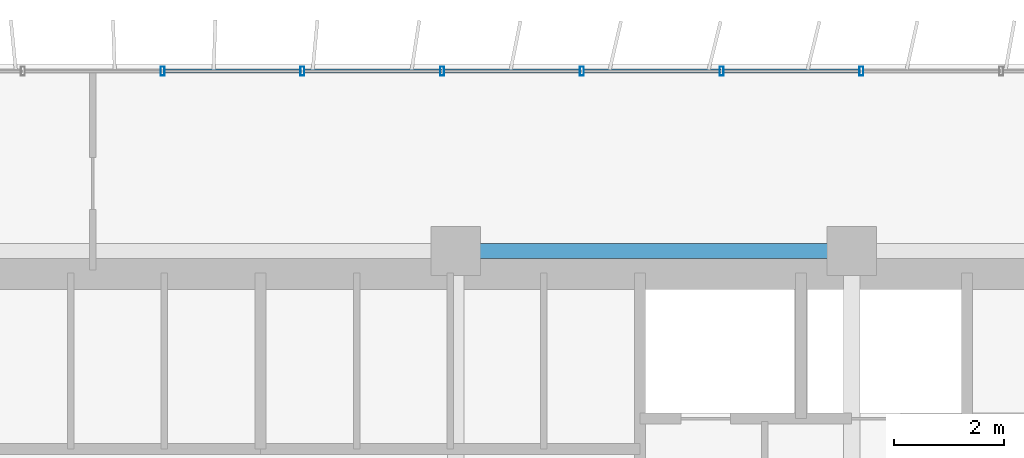
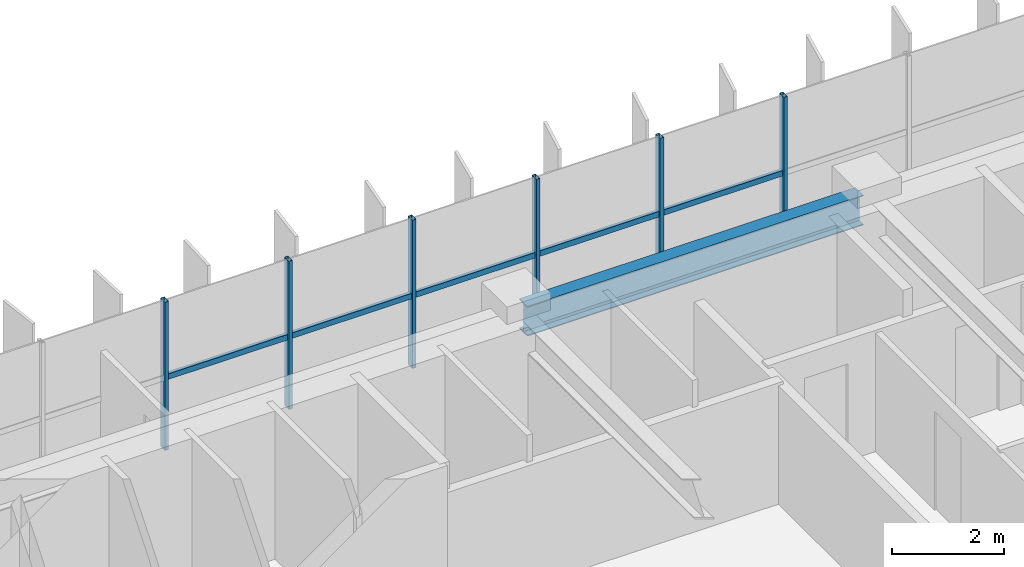
# One storey, part 13 of 25: 11 members, 1 beam, 1 element without a shape of its own.
"""IFC4 building model written with IfcOpenShell, lengths in metres."""

from ifc_helpers import new_model, si_unit, direction, frame, origin, origin_2d, place, context, subcontext, project, spatial, hollow_rectangle, i_section, extrude, source, transform, mapped, material, material_profile, profile_set, type_object, element, aggregate, save


model = new_model("IFC4")

# Units and contexts
model_context = context("Model", 3, precision=1e-05, world=origin(), true_north=direction((0.0, 1.0)))
body_context = subcontext(model_context, "Body", "Model", "MODEL_VIEW")
ifc_project = project(units=[si_unit("LENGTHUNIT", "METRE"), si_unit("AREAUNIT", "SQUARE_METRE"), si_unit("VOLUMEUNIT", "CUBIC_METRE"), si_unit("PLANEANGLEUNIT", "RADIAN"), si_unit("MASSUNIT", "GRAM", prefix="KILO")], contexts=[model_context])

# Site, building, storey
site_placement = place(None, origin())
site = spatial("IfcSite", under=ifc_project, at=site_placement, CompositionType="ELEMENT")
building_placement = place(site_placement, origin())
building = spatial("IfcBuilding", under=site, at=building_placement, Name="Trelvane Seafront Commons", CompositionType="ELEMENT")
storey_placement = place(building_placement, frame((0.0, 0.0, 70.300048828125)))
storey = spatial("IfcBuildingStorey", under=building, at=storey_placement, Name="L18", CompositionType="ELEMENT", Elevation=70.300048828125)

# Beam
ifc_material_1 = material(Name="Steel SM355 (S355)", Category="steel")
ifc_material_profile_1 = material_profile(ifc_material_1, i_section(OverallWidth=0.280029296875, OverallDepth=0.64990234375, WebThickness=0.012939453125, FlangeThickness=0.02197265625, at=origin_2d()), Name="H-650x280x13x22")
ifc_profile_set_1 = profile_set([ifc_material_profile_1], Name="Steel SM355 (S355)")
beam_type = type_object("IfcBeamType", Name="STR-BM-H650", PredefinedType="BEAM", material=ifc_profile_set_1)
shared_shape_1 = source(origin(), body_context, "Body", "SweptSolid", [
    extrude(i_section(OverallWidth=0.280029296875, OverallDepth=0.64990234375, WebThickness=0.012939453125, FlangeThickness=0.02197265625, at=origin_2d()), origin(), (0.0, 0.0, 1.0), 6.900146484375),
])
beam_placement = place(storey_placement, frame((43.949951171875, 45.10009765625, 2.89501953125), z_axis=(1.0, 0.0, 0.0), x_axis=(0.0, 1.0, 0.0)))
element("IfcBeam", 1, at=beam_placement, inside=storey, type_object=beam_type, Name="L18 Primary Girder G-33", PredefinedType="BEAM", context=body_context, shape_type="MappedRepresentation", body=[
    mapped(shared_shape_1, transform((0.0, 0.0, 0.0), x_axis=(1.0, 0.0, 0.0), y_axis=(0.0, 1.0, 0.0), z_axis=(0.0, 0.0, 1.0), scale=1.0)),
])

# Curtain wall, members
ifc_material_2 = material(Name="Anodised pale-silver aluminium", Category="aluminium")
curtain_wall_type = type_object("IfcCurtainWallType", Name="ARCH-CW2-LOWTOWER", PredefinedType="NOTDEFINED", material=ifc_material_2)
curtain_wall_placement = place(storey_placement, origin())
curtain_wall = element("IfcCurtainWall", 2, at=curtain_wall_placement, inside=storey, type_object=curtain_wall_type, Name="CW-L18-0043", PredefinedType="NOTDEFINED")
ifc_material_profile_2 = material_profile(ifc_material_2, hollow_rectangle(XDim=0.070068359375, YDim=0.1201171875, WallThickness=0.00390625, at=origin_2d()), Name="TRAN-70x120x4")
ifc_profile_set_2 = profile_set([ifc_material_profile_2], Name="Anodised pale-silver aluminium")
member_type_1 = type_object("IfcMemberType", Name="ARCH-CW-TRAN-120", PredefinedType="USERDEFINED", material=ifc_profile_set_2)
shared_shape_2 = source(origin(), body_context, "Body", "SweptSolid", [
    extrude(hollow_rectangle(XDim=0.070068359375, YDim=0.1201171875, WallThickness=0.00390625, at=origin_2d()), origin(), (0.0, 0.0, 1.0), 2.51708984375),
])
member_1_placement = place(storey_placement, frame((38.482666015625, 48.3701171875, 1.5458984375), z_axis=(1.0, 0.0, 0.0), x_axis=(0.0, 1.0, 0.0)))
member_1 = element("IfcMember", 3, at=member_1_placement, type_object=member_type_1, Name="CW-L18-0043-T09", ObjectType="TRANSOM", PredefinedType="USERDEFINED", context=body_context, shape_type="MappedRepresentation", body=[
    mapped(shared_shape_2, transform((0.0, 0.0, 0.0), x_axis=(1.0, 0.0, 0.0), y_axis=(0.0, 1.0, 0.0), z_axis=(0.0, 0.0, 1.0), scale=1.0)),
])
member_2_placement = place(storey_placement, frame((43.56494140625, 48.3701171875, 1.5458984375), z_axis=(1.0, 0.0, 0.0), x_axis=(0.0, 1.0, 0.0)))
member_2 = element("IfcMember", 4, at=member_2_placement, type_object=member_type_1, Name="CW-L18-0043-T11", ObjectType="TRANSOM", PredefinedType="USERDEFINED", context=body_context, shape_type="MappedRepresentation", body=[
    mapped(shared_shape_2, transform((0.0, 0.0, 0.0), x_axis=(1.0, 0.0, 0.0), y_axis=(0.0, 1.0, 0.0), z_axis=(0.0, 0.0, 1.0), scale=1.0)),
])
member_3_placement = place(storey_placement, frame((46.106201171875, 48.3701171875, 1.5458984375), z_axis=(1.0, 0.0, 0.0), x_axis=(0.0, 1.0, 0.0)))
member_3 = element("IfcMember", 5, at=member_3_placement, type_object=member_type_1, Name="CW-L18-0043-T12", ObjectType="TRANSOM", PredefinedType="USERDEFINED", context=body_context, shape_type="MappedRepresentation", body=[
    mapped(shared_shape_2, transform((0.0, 0.0, 0.0), x_axis=(1.0, 0.0, 0.0), y_axis=(0.0, 1.0, 0.0), z_axis=(0.0, 0.0, 1.0), scale=1.0)),
])
shared_shape_3 = source(origin(), body_context, "Body", "SweptSolid", [
    extrude(hollow_rectangle(XDim=0.070068359375, YDim=0.1201171875, WallThickness=0.00390625, at=origin_2d()), origin(), (0.0, 0.0, 1.0), 2.517333984375),
])
member_4_placement = place(storey_placement, frame((41.023681640625, 48.3701171875, 1.5458984375), z_axis=(1.0, 0.0, 0.0), x_axis=(0.0, 1.0, 0.0)))
member_4 = element("IfcMember", 6, at=member_4_placement, type_object=member_type_1, Name="CW-L18-0043-T10", ObjectType="TRANSOM", PredefinedType="USERDEFINED", context=body_context, shape_type="MappedRepresentation", body=[
    mapped(shared_shape_3, transform((0.0, 0.0, 0.0), x_axis=(1.0, 0.0, 0.0), y_axis=(0.0, 1.0, 0.0), z_axis=(0.0, 0.0, 1.0), scale=1.0)),
])
member_5_placement = place(storey_placement, frame((48.647216796875, 48.3701171875, 1.5458984375), z_axis=(1.0, 0.0, 0.0), x_axis=(0.0, 1.0, 0.0)))
member_5 = element("IfcMember", 7, at=member_5_placement, type_object=member_type_1, Name="CW-L18-0043-T13", ObjectType="TRANSOM", PredefinedType="USERDEFINED", context=body_context, shape_type="MappedRepresentation", body=[
    mapped(shared_shape_3, transform((0.0, 0.0, 0.0), x_axis=(1.0, 0.0, 0.0), y_axis=(0.0, 1.0, 0.0), z_axis=(0.0, 0.0, 1.0), scale=1.0)),
])
ifc_material_profile_3 = material_profile(ifc_material_2, hollow_rectangle(XDim=0.074951171875, YDim=0.159912109375, WallThickness=0.00390625, at=origin_2d()), Name="MULL-75x160x4")
ifc_profile_set_3 = profile_set([ifc_material_profile_3], Name="Anodised pale-silver aluminium")
member_type_2 = type_object("IfcMemberType", Name="ARCH-CW-MULL-160", PredefinedType="MULLION", material=ifc_profile_set_3)
shared_shape_4 = source(origin(), body_context, "Body", "SweptSolid", [
    extrude(hollow_rectangle(XDim=0.074951171875, YDim=0.159912109375, WallThickness=0.00390625, at=origin_2d()), origin(), (0.0, 0.0, 1.0), 3.219970703125),
])
member_6_placement = place(storey_placement, frame((38.470703125, 48.3701171875, 0.0), z_axis=(0.0, 0.0, 1.0), x_axis=(1.0, 0.0, 0.0)))
member_6 = element("IfcMember", 8, at=member_6_placement, type_object=member_type_2, Name="CW-L18-0043-M09", PredefinedType="MULLION", context=body_context, shape_type="MappedRepresentation", body=[
    mapped(shared_shape_4, transform((0.0, 0.0, 0.0), x_axis=(1.0, 0.0, 0.0), y_axis=(0.0, 1.0, 0.0), z_axis=(0.0, 0.0, 1.0), scale=1.0)),
])
member_7_placement = place(storey_placement, frame((41.01171875, 48.3701171875, 0.0), z_axis=(0.0, 0.0, 1.0), x_axis=(1.0, 0.0, 0.0)))
member_7 = element("IfcMember", 9, at=member_7_placement, type_object=member_type_2, Name="CW-L18-0043-M10", PredefinedType="MULLION", context=body_context, shape_type="MappedRepresentation", body=[
    mapped(shared_shape_4, transform((0.0, 0.0, 0.0), x_axis=(1.0, 0.0, 0.0), y_axis=(0.0, 1.0, 0.0), z_axis=(0.0, 0.0, 1.0), scale=1.0)),
])
member_8_placement = place(storey_placement, frame((43.552978515625, 48.3701171875, 0.0), z_axis=(0.0, 0.0, 1.0), x_axis=(1.0, 0.0, 0.0)))
member_8 = element("IfcMember", 10, at=member_8_placement, type_object=member_type_2, Name="CW-L18-0043-M11", PredefinedType="MULLION", context=body_context, shape_type="MappedRepresentation", body=[
    mapped(shared_shape_4, transform((0.0, 0.0, 0.0), x_axis=(1.0, 0.0, 0.0), y_axis=(0.0, 1.0, 0.0), z_axis=(0.0, 0.0, 1.0), scale=1.0)),
])
member_9_placement = place(storey_placement, frame((46.093994140625, 48.3701171875, 0.0), z_axis=(0.0, 0.0, 1.0), x_axis=(1.0, 0.0, 0.0)))
member_9 = element("IfcMember", 11, at=member_9_placement, type_object=member_type_2, Name="CW-L18-0043-M12", PredefinedType="MULLION", context=body_context, shape_type="MappedRepresentation", body=[
    mapped(shared_shape_4, transform((0.0, 0.0, 0.0), x_axis=(1.0, 0.0, 0.0), y_axis=(0.0, 1.0, 0.0), z_axis=(0.0, 0.0, 1.0), scale=1.0)),
])
member_10_placement = place(storey_placement, frame((48.63525390625, 48.3701171875, 0.0), z_axis=(0.0, 0.0, 1.0), x_axis=(1.0, 0.0, 0.0)))
member_10 = element("IfcMember", 12, at=member_10_placement, type_object=member_type_2, Name="CW-L18-0043-M13", PredefinedType="MULLION", context=body_context, shape_type="MappedRepresentation", body=[
    mapped(shared_shape_4, transform((0.0, 0.0, 0.0), x_axis=(1.0, 0.0, 0.0), y_axis=(0.0, 1.0, 0.0), z_axis=(0.0, 0.0, 1.0), scale=1.0)),
])
member_11_placement = place(storey_placement, frame((51.176513671875, 48.3701171875, 0.0), z_axis=(0.0, 0.0, 1.0), x_axis=(1.0, 0.0, 0.0)))
member_11 = element("IfcMember", 13, at=member_11_placement, type_object=member_type_2, Name="CW-L18-0043-M14", PredefinedType="MULLION", context=body_context, shape_type="MappedRepresentation", body=[
    mapped(shared_shape_4, transform((0.0, 0.0, 0.0), x_axis=(1.0, 0.0, 0.0), y_axis=(0.0, 1.0, 0.0), z_axis=(0.0, 0.0, 1.0), scale=1.0)),
])
aggregate(curtain_wall, [member_6, member_7, member_8, member_9, member_10, member_11, member_1, member_4, member_2, member_3, member_5])

save(model, "model.ifc")
